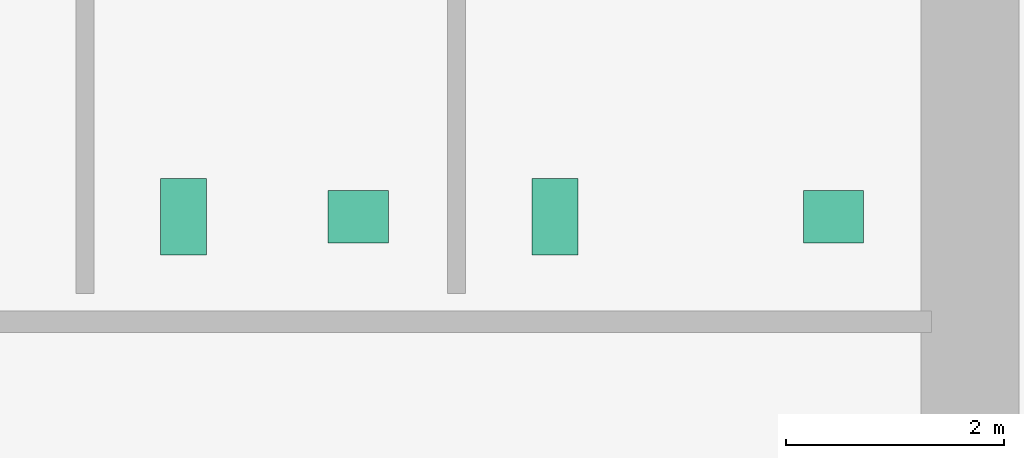
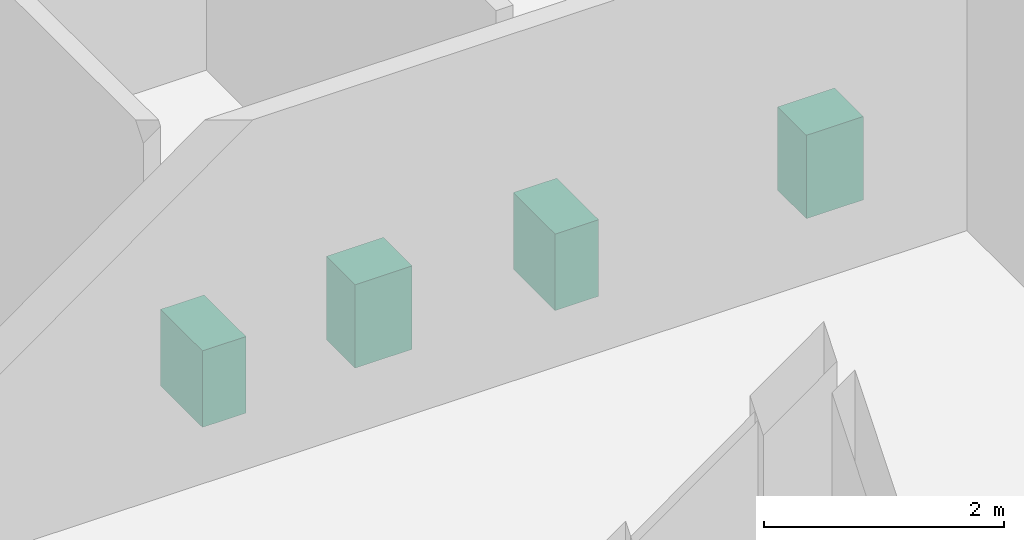
# One storey, part 14 of 14: 4 sanitary terminals.
"""IFC4 building model written with IfcOpenShell, lengths in metres."""

from ifc_helpers import new_model, si_unit, direction, frame, origin, origin_2d, place, context, subcontext, project, spatial, rectangle, extrude, material, type_object, element, save


model = new_model("IFC4")

# Units and contexts
model_context = context("Model", 3, precision=1e-05, world=origin(), true_north=direction((0.0, 1.0)))
body_context = subcontext(model_context, "Body", "Model", "MODEL_VIEW")
ifc_project = project(units=[si_unit("LENGTHUNIT", "METRE"), si_unit("AREAUNIT", "SQUARE_METRE"), si_unit("VOLUMEUNIT", "CUBIC_METRE"), si_unit("PLANEANGLEUNIT", "RADIAN"), si_unit("MASSUNIT", "GRAM", prefix="KILO")], contexts=[model_context])

# Site, building, storey
site_placement = place(None, origin())
site = spatial("IfcSite", under=ifc_project, at=site_placement, CompositionType="ELEMENT")
building_placement = place(site_placement, origin())
building = spatial("IfcBuilding", under=site, at=building_placement, Name="Norrvale University Quadrangle", CompositionType="ELEMENT")
storey_placement = place(building_placement, frame((0.0, 0.0, 50.800048828125)))
storey = spatial("IfcBuildingStorey", under=building, at=storey_placement, Name="L12", CompositionType="ELEMENT", Elevation=50.800048828125)

# Sanitary terminals
ifc_material = material(Name="Vitreous China Sanitaryware")
sanitary_terminal_type_1 = type_object("IfcSanitaryTerminalType", Name="Sanitary Wash Basin", PredefinedType="WASHHANDBASIN", material=ifc_material)
for number, where, z_axis, x_axis, name in (
    (1, (11.199951171875, 41.10009765625, 0.0), (0.0, 0.0, 1.0), (1.0, 0.0, 0.0), "Accessible Countertop Washbasin L12-1"),
    (2, (15.550048828125, 41.10009765625, 0.0), (0.0, 0.0, 1.0), (1.0, 0.0, 0.0), "Accessible Countertop Washbasin L12-2"),
):
    element("IfcSanitaryTerminal", number, at=place(storey_placement, frame(where, z_axis=z_axis, x_axis=x_axis)), inside=storey, type_object=sanitary_terminal_type_1, Name=name, PredefinedType="WASHHANDBASIN", context=body_context, shape_type="SweptSolid", body=[
        extrude(rectangle(XDim=0.550048828125, YDim=0.47998046875, at=origin_2d()), origin(), (0.0, 0.0, 1.0), 0.85009765625),
    ])
sanitary_terminal_type_2 = type_object("IfcSanitaryTerminalType", Name="Sanitary Water Closet", PredefinedType="TOILETPAN", material=ifc_material)
for number, where, z_axis, x_axis, name in (
    (3, (9.60009765625, 41.10009765625, 0.0), (0.0, 0.0, 1.0), (1.0, 0.0, 0.0), "Wall-Hung Water Closet L12-1"),
    (4, (13.0, 41.10009765625, 0.0), (0.0, 0.0, 1.0), (1.0, 0.0, 0.0), "Wall-Hung Water Closet L12-2"),
):
    element("IfcSanitaryTerminal", number, at=place(storey_placement, frame(where, z_axis=z_axis, x_axis=x_axis)), inside=storey, type_object=sanitary_terminal_type_2, Name=name, PredefinedType="TOILETPAN", context=body_context, shape_type="SweptSolid", body=[
        extrude(rectangle(XDim=0.419921875, YDim=0.699951171875, at=origin_2d()), origin(), (0.0, 0.0, 1.0), 0.780029296875),
    ])

save(model, "model.ifc")
